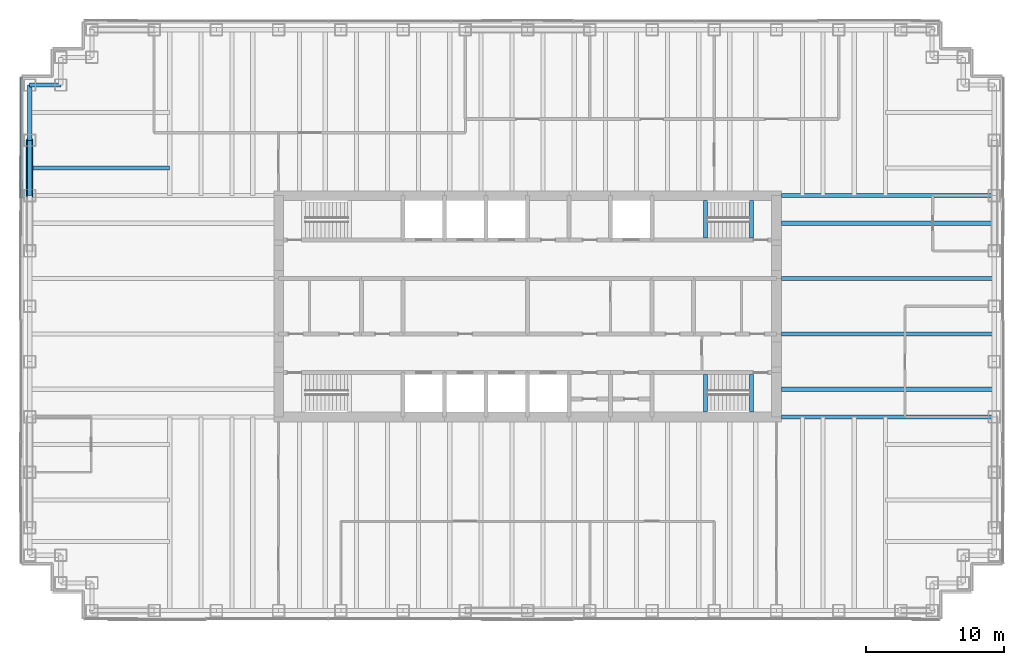
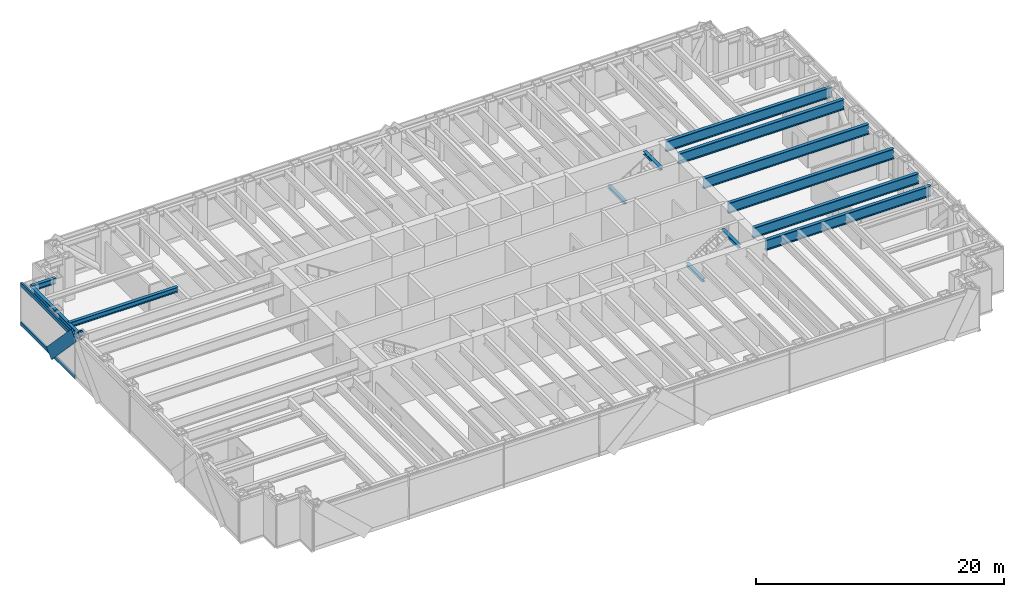
# One storey, part 5 of 17: 14 beams, 4 members, 1 element without a shape of its own.
"""IFC4 building model written with IfcOpenShell, lengths in metres."""

from ifc_helpers import new_model, si_unit, direction, frame, origin, origin_2d, place, context, subcontext, project, spatial, rectangle, hollow_circle, i_section, extrude, material, material_profile, profile_set, type_object, element, aggregate, save


model = new_model("IFC4")

# Units and contexts
model_context = context("Model", 3, precision=1e-05, world=origin(), true_north=direction((0.0, 1.0)))
body_context = subcontext(model_context, "Body", "Model", "MODEL_VIEW")
ifc_project = project(units=[si_unit("LENGTHUNIT", "METRE"), si_unit("AREAUNIT", "SQUARE_METRE"), si_unit("VOLUMEUNIT", "CUBIC_METRE"), si_unit("PLANEANGLEUNIT", "RADIAN"), si_unit("MASSUNIT", "GRAM", prefix="KILO")], contexts=[model_context])

# Site, building, storey
site_placement = place(None, origin())
site = spatial("IfcSite", under=ifc_project, at=site_placement, CompositionType="ELEMENT")
building_placement = place(site_placement, origin())
building = spatial("IfcBuilding", under=site, at=building_placement, Name="Rheinbord Bourse Tower", CompositionType="ELEMENT")
storey_placement = place(building_placement, frame((0.0, 0.0, 300.5)))
storey = spatial("IfcBuildingStorey", under=building, at=storey_placement, Name="L68", CompositionType="ELEMENT", Elevation=300.5)

# Curtain wall, members
ifc_material_1 = material(Name="Dark glass and black aluminium", Category="aluminium")
curtain_wall_type = type_object("IfcCurtainWallType", Name="CW3 DARK GLASS CURTAIN WALL", PredefinedType="USERDEFINED", material=ifc_material_1)
curtain_wall_placement = place(storey_placement, origin())
curtain_wall = element("IfcCurtainWall", 1, at=curtain_wall_placement, inside=storey, type_object=curtain_wall_type, Name="Curtain wall CW3 W L68", ObjectType="UNITISED CURTAIN WALL", PredefinedType="USERDEFINED")
ifc_material_2 = material(Name="Black anodised aluminium", Category="aluminium")
ifc_material_profile_1 = material_profile(ifc_material_2, rectangle(XDim=0.14990234375, YDim=1.10791015625, at=origin_2d()), Name="CW3 DIAGONAL MULLION 1108x150")
ifc_profile_set_1 = profile_set([ifc_material_profile_1], Name="Black anodised aluminium")
member_type_1 = type_object("IfcMemberType", Name="CW3 BLACK DIAGONAL MULLION", PredefinedType="USERDEFINED", material=ifc_profile_set_1)
member_1_placement = place(storey_placement, frame((-0.60009765625, 36.0, 0.0), z_axis=(0.0, -0.689659376744, 0.724133926887), x_axis=(1.0, 0.0, 0.0)))
member_1 = element("IfcMember", 2, at=member_1_placement, type_object=member_type_1, Name="CW3 diagonal mullion d", ObjectType="DIAGONAL MULLION", PredefinedType="USERDEFINED", context=body_context, shape_type="SweptSolid", body=[
    extrude(rectangle(XDim=0.14990234375, YDim=1.10791015625, at=origin_2d()), origin(), (0.0, 0.0, 1.0), 5.800048828125),
])
ifc_material_3 = material(Name="Black anodised aluminium", Category="aluminium")
ifc_material_profile_2 = material_profile(ifc_material_3, rectangle(XDim=0.14990234375, YDim=0.35009765625, at=origin_2d()), Name="CW3 TRANSOM 350x150")
ifc_profile_set_2 = profile_set([ifc_material_profile_2], Name="Black anodised aluminium")
member_type_2 = type_object("IfcMemberType", Name="CW3 BLACK TRANSOM", PredefinedType="USERDEFINED", material=ifc_profile_set_2)
member_2_placement = place(storey_placement, frame((-0.60009765625, 40.534912109375, 0.175048828125), z_axis=(0.0, -1.0, 0.0), x_axis=(1.0, 0.0, 0.0)))
member_2 = element("IfcMember", 3, at=member_2_placement, type_object=member_type_2, Name="CW3 transom 1.1", ObjectType="TRANSOM", PredefinedType="USERDEFINED", context=body_context, shape_type="SweptSolid", body=[
    extrude(rectangle(XDim=0.14990234375, YDim=0.35009765625, at=origin_2d()), origin(), (0.0, 0.0, 1.0), 8.702392578125),
])
member_3_placement = place(storey_placement, frame((-0.60009765625, 40.534912109375, 4.02490234375), z_axis=(0.0, -1.0, 0.0), x_axis=(1.0, 0.0, 0.0)))
member_3 = element("IfcMember", 4, at=member_3_placement, type_object=member_type_2, Name="CW3 transom 1.2", ObjectType="TRANSOM", PredefinedType="USERDEFINED", context=body_context, shape_type="SweptSolid", body=[
    extrude(rectangle(XDim=0.14990234375, YDim=0.35009765625, at=origin_2d()), origin(), (0.0, 0.0, 1.0), 8.702392578125),
])
aggregate(curtain_wall, [member_2, member_3, member_1])

# Beams
ifc_material_4 = material(Name="Steel S460", Category="steel")
ifc_material_profile_3 = material_profile(ifc_material_4, i_section(OverallWidth=0.302001953125, OverallDepth=1.008056640625, WebThickness=0.02099609375, FlangeThickness=0.0400390625, at=origin_2d()), Name="HEM 1000")
ifc_profile_set_3 = profile_set([ifc_material_profile_3], Name="Steel S460")
beam_type_1 = type_object("IfcBeamType", Name="END BEAM HEM 1000", PredefinedType="BEAM", material=ifc_profile_set_3)
for number, where, z_axis, x_axis, name in (
    (5, (54.35009765625, 18.0, 3.535888671875), (1.0, 0.0, 0.0), (0.0, 1.0, 0.0), "End beam east 18 L69"),
    (6, (54.35009765625, 22.0, 3.535888671875), (1.0, 0.0, 0.0), (0.0, 1.0, 0.0), "End beam east 22 L69"),
    (7, (54.35009765625, 26.0, 3.535888671875), (1.0, 0.0, 0.0), (0.0, 1.0, 0.0), "End beam east 26 L69"),
    (8, (54.35009765625, 30.0, 3.535888671875), (1.0, 0.0, 0.0), (0.0, 1.0, 0.0), "End beam east 30 L69"),
):
    element("IfcBeam", number, at=place(storey_placement, frame(where, z_axis=z_axis, x_axis=x_axis)), inside=storey, type_object=beam_type_1, Name=name, PredefinedType="BEAM", context=body_context, shape_type="SweptSolid", body=[
        extrude(i_section(OverallWidth=0.302001953125, OverallDepth=1.008056640625, WebThickness=0.02099609375, FlangeThickness=0.0400390625, at=origin_2d()), origin(), (0.0, 0.0, 1.0), 15.39990234375),
    ])
ifc_material_5 = material(Name="Steel S460", Category="steel")
ifc_material_profile_4 = material_profile(ifc_material_5, i_section(OverallWidth=0.302001953125, OverallDepth=1.008056640625, WebThickness=0.02099609375, FlangeThickness=0.0400390625, at=origin_2d()), Name="HEM 1000")
ifc_profile_set_4 = profile_set([ifc_material_profile_4], Name="Steel S460")
beam_type_2 = type_object("IfcBeamType", Name="GIRDER HEM 1000", PredefinedType="BEAM", material=ifc_profile_set_4)
for number, where, z_axis, x_axis, name in (
    (9, (54.35009765625, 16.0, 3.535888671875), (1.0, 0.0, 0.0), (0.0, 1.0, 0.0), "Girder east 16 L69"),
    (10, (54.35009765625, 32.0, 3.535888671875), (1.0, 0.0, 0.0), (0.0, 1.0, 0.0), "Girder east 32 L69"),
):
    element("IfcBeam", number, at=place(storey_placement, frame(where, z_axis=z_axis, x_axis=x_axis)), inside=storey, type_object=beam_type_2, Name=name, PredefinedType="BEAM", context=body_context, shape_type="SweptSolid", body=[
        extrude(i_section(OverallWidth=0.302001953125, OverallDepth=1.008056640625, WebThickness=0.02099609375, FlangeThickness=0.0400390625, at=origin_2d()), origin(), (0.0, 0.0, 1.0), 15.39990234375),
    ])
ifc_material_6 = material(Name="Steel S460", Category="steel")
ifc_material_profile_5 = material_profile(ifc_material_6, i_section(OverallWidth=0.300048828125, OverallDepth=0.300048828125, WebThickness=0.010986328125, FlangeThickness=0.01904296875, at=origin_2d()), Name="HEB 300")
ifc_profile_set_5 = profile_set([ifc_material_profile_5], Name="Steel S460")
beam_type_3 = type_object("IfcBeamType", Name="LANDING TRIMMER HEB 300", PredefinedType="BEAM", material=ifc_profile_set_5)
for number, where, z_axis, x_axis, name in (
    (11, (48.8701171875, 16.35009765625, 1.75), (0.0, 1.0, 0.0), (-1.0, 0.0, 0.0), "Landing trimmer ST3 L68"),
    (12, (52.199951171875, 16.35009765625, 3.889892578125), (0.0, 1.0, 0.0), (-1.0, 0.0, 0.0), "Well trimmer ST3 under L69"),
    (13, (48.8701171875, 28.949951171875, 1.75), (0.0, 1.0, 0.0), (-1.0, 0.0, 0.0), "Landing trimmer ST4 L68"),
    (14, (52.199951171875, 28.949951171875, 3.889892578125), (0.0, 1.0, 0.0), (-1.0, 0.0, 0.0), "Well trimmer ST4 under L69"),
):
    element("IfcBeam", number, at=place(storey_placement, frame(where, z_axis=z_axis, x_axis=x_axis)), inside=storey, type_object=beam_type_3, Name=name, PredefinedType="BEAM", context=body_context, shape_type="SweptSolid", body=[
        extrude(i_section(OverallWidth=0.300048828125, OverallDepth=0.300048828125, WebThickness=0.010986328125, FlangeThickness=0.01904296875, at=origin_2d()), origin(), (0.0, 0.0, 1.0), 2.699951171875),
    ])

# Member
ifc_material_7 = material(Name="Steel S460", Category="steel")
ifc_material_profile_6 = material_profile(ifc_material_7, hollow_circle(Radius=0.25390625, WallThickness=0.030029296875, at=origin_2d()), Name="CHS 508x30")
ifc_profile_set_6 = profile_set([ifc_material_profile_6], Name="Steel S460")
member_type_3 = type_object("IfcMemberType", Name="MEGABRACE CHS 508x30", PredefinedType="BRACE", material=ifc_profile_set_6)
member_4_placement = place(storey_placement, frame((0.0, 36.0, 0.0), z_axis=(0.0, -0.689659376744, 0.724133926887), x_axis=(1.0, 0.0, 0.0)))
element("IfcMember", 15, at=member_4_placement, inside=storey, type_object=member_type_3, Name="Megabrace W face line d L68", PredefinedType="BRACE", context=body_context, shape_type="SweptSolid", body=[
    extrude(hollow_circle(Radius=0.25390625, WallThickness=0.030029296875, at=origin_2d()), origin(), (0.0, 0.0, 1.0), 5.800048828125),
])

# Beams
ifc_material_8 = material(Name="Steel S460", Category="steel")
ifc_material_profile_7 = material_profile(ifc_material_8, i_section(OverallWidth=0.300048828125, OverallDepth=0.550048828125, WebThickness=0.014892578125, FlangeThickness=0.029052734375, at=origin_2d()), Name="HEB 550")
ifc_profile_set_7 = profile_set([ifc_material_profile_7], Name="Steel S460")
beam_type_4 = type_object("IfcBeamType", Name="SPANDREL HEB 550", PredefinedType="SPANDREL", material=ifc_profile_set_7)
beam_1_placement = place(storey_placement, frame((2.25, 40.0, 3.764892578125), z_axis=(-1.0, 0.0, 0.0), x_axis=(0.0, -1.0, 0.0)))
element("IfcBeam", 16, at=beam_1_placement, inside=storey, type_object=beam_type_4, Name="Spandrel NW-B-NW-A under L69", PredefinedType="SPANDREL", context=body_context, shape_type="SweptSolid", body=[
    extrude(i_section(OverallWidth=0.300048828125, OverallDepth=0.550048828125, WebThickness=0.014892578125, FlangeThickness=0.029052734375, at=origin_2d()), origin(), (0.0, 0.0, 1.0), 2.25),
])
for number, where, z_axis, x_axis, name in (
    (17, (0.0, 40.0, 3.764892578125), (0.0, -1.0, 0.0), (1.0, 0.0, 0.0), "Spandrel NW-A-W-36 under L69"),
    (18, (0.0, 36.0, 3.764892578125), (0.0, -1.0, 0.0), (1.0, 0.0, 0.0), "Spandrel W-36-W-32 under L69"),
):
    element("IfcBeam", number, at=place(storey_placement, frame(where, z_axis=z_axis, x_axis=x_axis)), inside=storey, type_object=beam_type_4, Name=name, PredefinedType="SPANDREL", context=body_context, shape_type="SweptSolid", body=[
        extrude(i_section(OverallWidth=0.300048828125, OverallDepth=0.550048828125, WebThickness=0.014892578125, FlangeThickness=0.029052734375, at=origin_2d()), origin(), (0.0, 0.0, 1.0), 4.0),
    ])
ifc_material_9 = material(Name="Steel S460", Category="steel")
ifc_material_profile_8 = material_profile(ifc_material_9, i_section(OverallWidth=0.300048828125, OverallDepth=0.5, WebThickness=0.014404296875, FlangeThickness=0.028076171875, at=origin_2d()), Name="HEB 500")
ifc_profile_set_8 = profile_set([ifc_material_profile_8], Name="Steel S460")
beam_type_5 = type_object("IfcBeamType", Name="TIE BEAM HEB 500", PredefinedType="JOIST", material=ifc_profile_set_8)
beam_2_placement = place(storey_placement, frame((0.0, 34.0, 3.7900390625), z_axis=(1.0, 0.0, 0.0), x_axis=(0.0, 1.0, 0.0)))
element("IfcBeam", 19, at=beam_2_placement, inside=storey, type_object=beam_type_5, Name="Tie west 34 L69", PredefinedType="JOIST", context=body_context, shape_type="SweptSolid", body=[
    extrude(i_section(OverallWidth=0.300048828125, OverallDepth=0.5, WebThickness=0.014404296875, FlangeThickness=0.028076171875, at=origin_2d()), origin(), (0.0, 0.0, 1.0), 10.125),
])

save(model, "model.ifc")
